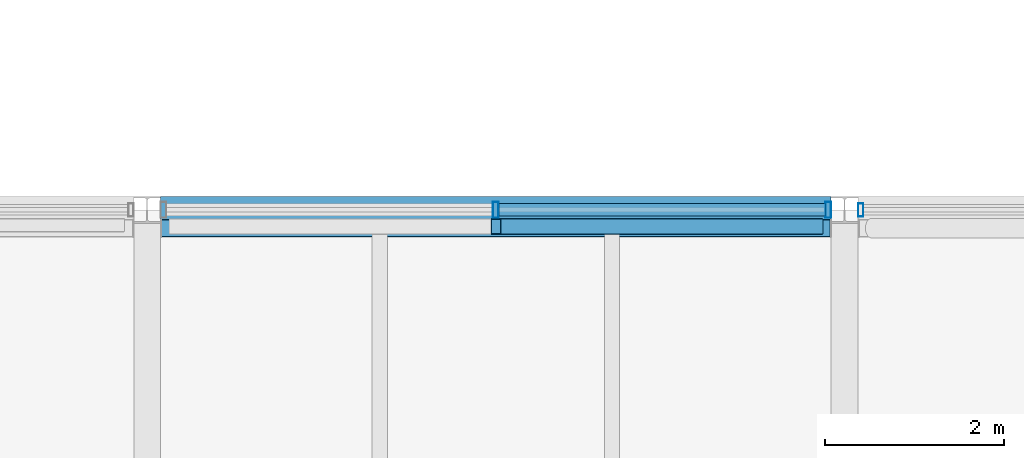
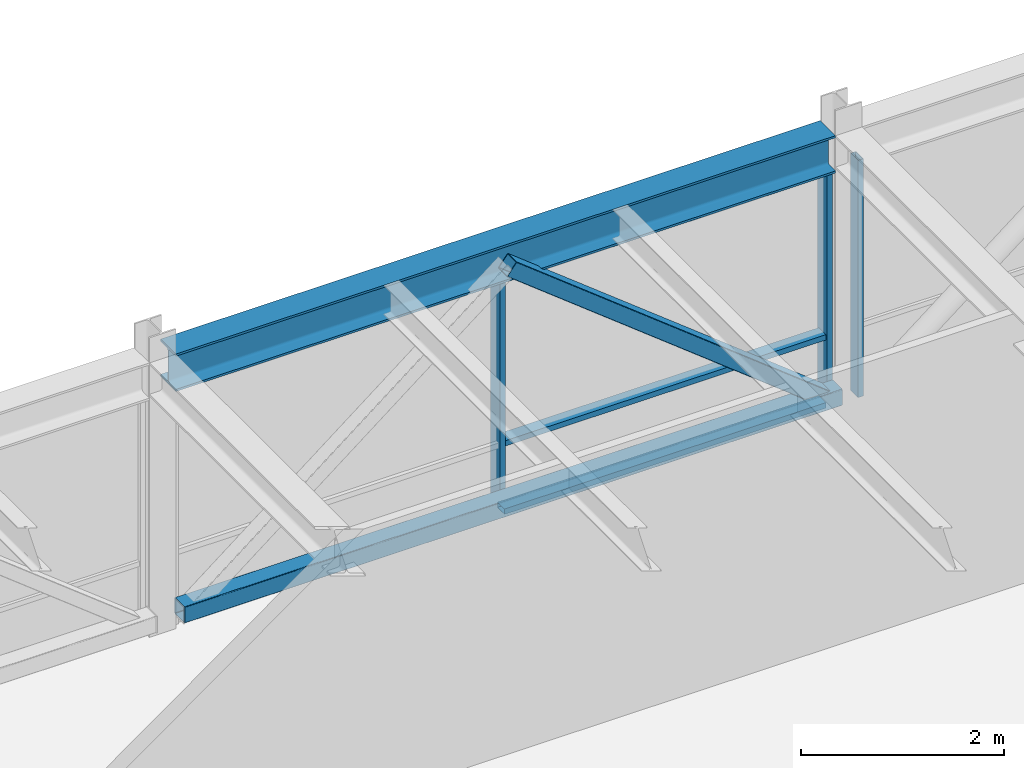
# One storey, part 19 of 49: 8 members, 1 beam, 2 elements without a shape of their own.
"""IFC4 building model written with IfcOpenShell, lengths in metres."""

from ifc_helpers import new_model, si_unit, direction, frame, origin, origin_2d, place, context, subcontext, project, spatial, hollow_rectangle, i_section, extrude, material, material_profile, profile_set, type_object, element, aggregate, save


model = new_model("IFC4")

# Units and contexts
model_context = context("Model", 3, precision=1e-05, world=origin(), true_north=direction((0.0, 1.0)))
body_context = subcontext(model_context, "Body", "Model", "MODEL_VIEW")
ifc_project = project(units=[si_unit("LENGTHUNIT", "METRE"), si_unit("AREAUNIT", "SQUARE_METRE"), si_unit("VOLUMEUNIT", "CUBIC_METRE"), si_unit("PLANEANGLEUNIT", "RADIAN"), si_unit("MASSUNIT", "GRAM", prefix="KILO"), si_unit("THERMODYNAMICTEMPERATUREUNIT", "KELVIN"), si_unit("POWERUNIT", "WATT")], contexts=[model_context])

# Site, building, storey
site_placement = place(None, origin())
site = spatial("IfcSite", under=ifc_project, at=site_placement, CompositionType="ELEMENT")
building_placement = place(site_placement, origin())
building = spatial("IfcBuilding", under=site, at=building_placement, Name="Srebrne Nadtorze General Hospital", CompositionType="ELEMENT")
storey_placement = place(building_placement, frame((0.0, 0.0, 26.10009765625)))
storey = spatial("IfcBuildingStorey", under=building, at=storey_placement, Name="L06", CompositionType="ELEMENT", Elevation=26.10009765625)

# Beam
ifc_material_1 = material(Name="Steel S355J2", Category="steel")
ifc_material_profile_1 = material_profile(ifc_material_1, i_section(OverallWidth=0.300048828125, OverallDepth=0.449951171875, WebThickness=0.013916015625, FlangeThickness=0.02587890625, FilletRadius=0.027099609375, at=origin_2d()), Name="HEB-450")
ifc_profile_set_1 = profile_set([ifc_material_profile_1], Name="Steel S355J2")
beam_type = type_object("IfcBeamType", Name="Courtyard bridge girder HEB 450", PredefinedType="BEAM", material=ifc_profile_set_1)
beam_placement = place(storey_placement, frame((78.14990234375, 58.800048828125, 3.074951171875), z_axis=(1.0, 0.0, 0.0), x_axis=(0.0, 1.0, 0.0)))
element("IfcBeam", 1, at=beam_placement, inside=storey, type_object=beam_type, Name="Beam BM-L06-X-1169", PredefinedType="BEAM", context=body_context, shape_type="SweptSolid", body=[
    extrude(i_section(OverallWidth=0.300048828125, OverallDepth=0.449951171875, WebThickness=0.013916015625, FlangeThickness=0.02587890625, FilletRadius=0.027099609375, at=origin_2d()), origin(), (0.0, 0.0, 1.0), 7.5),
])

# Curtain wall, member
ifc_material_2 = material(Name="Anodised Aluminium", Category="aluminium")
curtain_wall_type = type_object("IfcCurtainWallType", Name="Bridge curtain wall 7500x2850", PredefinedType="NOTDEFINED", material=ifc_material_2)
curtain_wall_1_placement = place(storey_placement, origin())
curtain_wall_1 = element("IfcCurtainWall", 2, at=curtain_wall_1_placement, inside=storey, type_object=curtain_wall_type, Name="Curtain wall CW-148", PredefinedType="NOTDEFINED")
ifc_material_3 = material(Name="Anodised Aluminium", Category="aluminium")
ifc_material_profile_2 = material_profile(ifc_material_3, hollow_rectangle(XDim=0.06005859375, YDim=0.14990234375, WallThickness=0.00390625, at=origin_2d()), Name="AL-MUL-60x150")
ifc_profile_set_2 = profile_set([ifc_material_profile_2], Name="Anodised Aluminium")
member_type_1 = type_object("IfcMemberType", Name="Curtain mullion 60x150", PredefinedType="MULLION", material=ifc_profile_set_2)
member_1_placement = place(storey_placement, frame((85.97998046875, 58.800048828125, 0.0), z_axis=(0.0, 0.0, 1.0), x_axis=(1.0, 0.0, 0.0)))
member_1 = element("IfcMember", 3, at=member_1_placement, type_object=member_type_1, Name="CW-148 mullion 1", PredefinedType="MULLION", context=body_context, shape_type="SweptSolid", body=[
    extrude(hollow_rectangle(XDim=0.06005859375, YDim=0.14990234375, WallThickness=0.00390625, at=origin_2d()), origin(), (0.0, 0.0, 1.0), 2.849853515625),
])
aggregate(curtain_wall_1, [member_1])

# Curtain wall, members
curtain_wall_2_placement = place(storey_placement, origin())
curtain_wall_2 = element("IfcCurtainWall", 4, at=curtain_wall_2_placement, inside=storey, type_object=curtain_wall_type, Name="Curtain wall CW-147", PredefinedType="NOTDEFINED")
ifc_material_4 = material(Name="Anodised Aluminium", Category="aluminium")
ifc_material_profile_3 = material_profile(ifc_material_4, hollow_rectangle(XDim=0.06494140625, YDim=0.179931640625, WallThickness=0.00390625, at=origin_2d()), Name="AL-MUL-65x180")
ifc_profile_set_3 = profile_set([ifc_material_profile_3], Name="Anodised Aluminium")
member_type_2 = type_object("IfcMemberType", Name="Curtain mullion 65x180", PredefinedType="MULLION", material=ifc_profile_set_3)
member_2_placement = place(storey_placement, frame((81.89990234375, 58.800048828125, 0.0), z_axis=(0.0, 0.0, 1.0), x_axis=(1.0, 0.0, 0.0)))
member_2 = element("IfcMember", 5, at=member_2_placement, type_object=member_type_2, Name="CW-147 mullion 2", PredefinedType="MULLION", context=body_context, shape_type="SweptSolid", body=[
    extrude(hollow_rectangle(XDim=0.06494140625, YDim=0.179931640625, WallThickness=0.00390625, at=origin_2d()), origin(), (0.0, 0.0, 1.0), 2.849853515625),
])
member_3_placement = place(storey_placement, frame((85.617431640625, 58.800048828125, 0.0), z_axis=(0.0, 0.0, 1.0), x_axis=(1.0, 0.0, 0.0)))
member_3 = element("IfcMember", 6, at=member_3_placement, type_object=member_type_2, Name="CW-147 mullion 3", PredefinedType="MULLION", context=body_context, shape_type="SweptSolid", body=[
    extrude(hollow_rectangle(XDim=0.06494140625, YDim=0.179931640625, WallThickness=0.00390625, at=origin_2d()), origin(), (0.0, 0.0, 1.0), 2.849853515625),
])
ifc_material_5 = material(Name="Anodised Aluminium", Category="aluminium")
ifc_material_profile_4 = material_profile(ifc_material_5, hollow_rectangle(XDim=0.06494140625, YDim=0.139892578125, WallThickness=0.00390625, at=origin_2d()), Name="AL-TRN-65x140")
ifc_profile_set_4 = profile_set([ifc_material_profile_4], Name="Anodised Aluminium")
member_type_3 = type_object("IfcMemberType", Name="Curtain transom 65x140", PredefinedType="USERDEFINED", material=ifc_profile_set_4)
member_4_placement = place(storey_placement, frame((81.9326171875, 58.800048828125, 0.032470703125), z_axis=(1.0, 0.0, 0.0), x_axis=(0.0, 0.0, 1.0)))
member_4 = element("IfcMember", 7, at=member_4_placement, type_object=member_type_3, Name="CW-147 transom 2.1", ObjectType="TRANSOM", PredefinedType="USERDEFINED", context=body_context, shape_type="SweptSolid", body=[
    extrude(hollow_rectangle(XDim=0.06494140625, YDim=0.139892578125, WallThickness=0.00390625, at=origin_2d()), origin(), (0.0, 0.0, 1.0), 3.65234375),
])
member_5_placement = place(storey_placement, frame((81.9326171875, 58.800048828125, 0.849853515625), z_axis=(1.0, 0.0, 0.0), x_axis=(0.0, 0.0, 1.0)))
member_5 = element("IfcMember", 8, at=member_5_placement, type_object=member_type_3, Name="CW-147 transom 2.2", ObjectType="TRANSOM", PredefinedType="USERDEFINED", context=body_context, shape_type="SweptSolid", body=[
    extrude(hollow_rectangle(XDim=0.06494140625, YDim=0.139892578125, WallThickness=0.00390625, at=origin_2d()), origin(), (0.0, 0.0, 1.0), 3.65234375),
])
member_6_placement = place(storey_placement, frame((81.9326171875, 58.800048828125, 2.8173828125), z_axis=(1.0, 0.0, 0.0), x_axis=(0.0, 0.0, 1.0)))
member_6 = element("IfcMember", 9, at=member_6_placement, type_object=member_type_3, Name="CW-147 transom 2.3", ObjectType="TRANSOM", PredefinedType="USERDEFINED", context=body_context, shape_type="SweptSolid", body=[
    extrude(hollow_rectangle(XDim=0.06494140625, YDim=0.139892578125, WallThickness=0.00390625, at=origin_2d()), origin(), (0.0, 0.0, 1.0), 3.65234375),
])
aggregate(curtain_wall_2, [member_2, member_3, member_4, member_5, member_6])

# Members
ifc_material_6 = material(Name="Steel S355J2", Category="steel")
ifc_material_profile_5 = material_profile(ifc_material_6, hollow_rectangle(XDim=0.179931640625, YDim=0.179931640625, WallThickness=0.008056640625, InnerFilletRadius=0.008056640625, OuterFilletRadius=0.011962890625, at=origin_2d()), Name="SHS-180x180x8")
ifc_profile_set_5 = profile_set([ifc_material_profile_5], Name="Steel S355J2")
member_type_4 = type_object("IfcMemberType", Name="Diagonal brace SHS 180x180x8", PredefinedType="BRACE", material=ifc_profile_set_5)
member_7_placement = place(storey_placement, frame((85.5, 58.614990234375, 0.25), z_axis=(-0.786192517778, 0.0, 0.61798165425), x_axis=(0.0, -1.0, 0.0)))
element("IfcMember", 10, at=member_7_placement, inside=storey, type_object=member_type_4, Name="Clinical courtyard bridge brace 44", PredefinedType="BRACE", context=body_context, shape_type="SweptSolid", body=[
    extrude(hollow_rectangle(XDim=0.179931640625, YDim=0.179931640625, WallThickness=0.008056640625, InnerFilletRadius=0.008056640625, OuterFilletRadius=0.011962890625, at=origin_2d()), origin(), (0.0, 0.0, 1.0), 4.5791015625),
])
ifc_material_7 = material(Name="Steel S355J2", Category="steel")
ifc_material_profile_6 = material_profile(ifc_material_7, hollow_rectangle(XDim=0.199951171875, YDim=0.199951171875, WallThickness=0.010009765625, InnerFilletRadius=0.010009765625, OuterFilletRadius=0.014892578125, at=origin_2d()), Name="SHS-200x200x10")
ifc_profile_set_6 = profile_set([ifc_material_profile_6], Name="Steel S355J2")
member_type_5 = type_object("IfcMemberType", Name="Truss chord SHS 200x200x10", PredefinedType="CHORD", material=ifc_profile_set_6)
member_8_placement = place(storey_placement, frame((78.162109375, 58.594970703125, 0.25), z_axis=(1.0, 0.0, 0.0), x_axis=(0.0, 1.0, 0.0)))
element("IfcMember", 11, at=member_8_placement, inside=storey, type_object=member_type_5, Name="Clinical courtyard bridge truss chord 22", PredefinedType="CHORD", context=body_context, shape_type="SweptSolid", body=[
    extrude(hollow_rectangle(XDim=0.199951171875, YDim=0.199951171875, WallThickness=0.010009765625, InnerFilletRadius=0.010009765625, OuterFilletRadius=0.014892578125, at=origin_2d()), origin(), (0.0, 0.0, 1.0), 7.475830078125),
])

save(model, "model.ifc")
